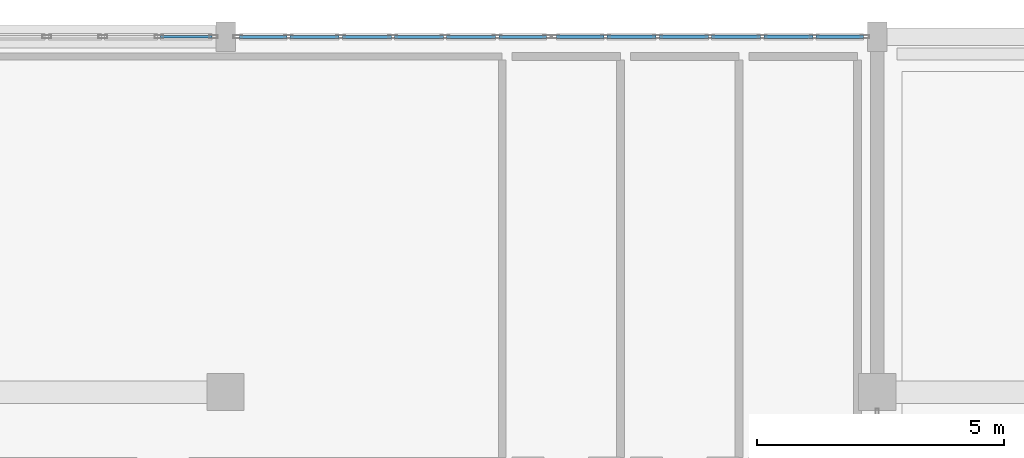
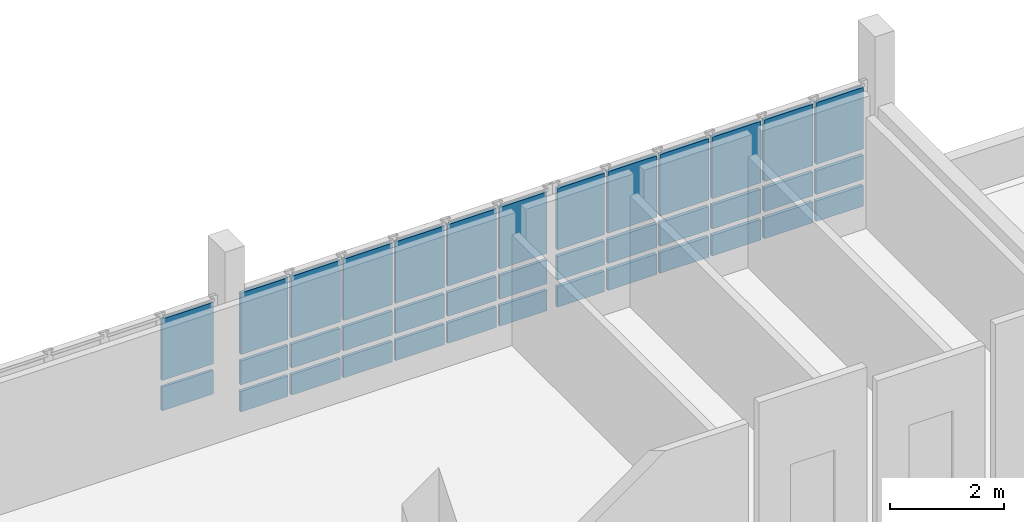
# One storey, part 169 of 188: 38 plates, 3 elements without a shape of their own.
"""IFC4 building model written with IfcOpenShell, lengths in metres."""

from ifc_helpers import new_model, si_unit, direction, frame, origin, origin_2d, place, context, subcontext, project, spatial, rectangle, extrude, material, layer, layer_set, type_object, element, aggregate, save


model = new_model("IFC4")

# Units and contexts
model_context = context("Model", 3, precision=1e-05, world=origin(), true_north=direction((0.0, 1.0)))
body_context = subcontext(model_context, "Body", "Model", "MODEL_VIEW")
ifc_project = project(units=[si_unit("LENGTHUNIT", "METRE"), si_unit("AREAUNIT", "SQUARE_METRE"), si_unit("VOLUMEUNIT", "CUBIC_METRE"), si_unit("PLANEANGLEUNIT", "RADIAN"), si_unit("MASSUNIT", "GRAM", prefix="KILO")], contexts=[model_context])

# Site, building, storey
site_placement = place(None, origin())
site = spatial("IfcSite", under=ifc_project, at=site_placement, CompositionType="ELEMENT")
building_placement = place(site_placement, origin())
building = spatial("IfcBuilding", under=site, at=building_placement, Name="Kisaragi Civic Commons", CompositionType="ELEMENT")
storey_placement = place(building_placement, frame((0.0, 0.0, 9.60009765625)))
storey = spatial("IfcBuildingStorey", under=building, at=storey_placement, Name="L02", CompositionType="ELEMENT", Elevation=9.60009765625)

# Curtain wall, plates
ifc_material = material(Name="Thermally broken anodized aluminium and low-E double glazing", Category="aluminium")
ifc_layer_1 = layer(ifc_material, 0.179931640625, Name="Thermally broken anodized aluminium and low-E double glazing", Category="aluminium")
ifc_layer_set_1 = layer_set([ifc_layer_1], Name="Thermally broken anodized aluminium and low-E double glazing")
curtain_wall_type = type_object("IfcCurtainWallType", Name="CW-01", PredefinedType="NOTDEFINED", material=ifc_layer_set_1)
curtain_wall_1_placement = place(storey_placement, origin())
curtain_wall_1 = element("IfcCurtainWall", 1, at=curtain_wall_1_placement, inside=storey, type_object=curtain_wall_type, Name="L02 curtain wall CW-01 CW-V4-L02-086", PredefinedType="NOTDEFINED")
ifc_layer_2 = layer(ifc_material, 0.053955078125, Name="Thermally broken anodized aluminium and low-E double glazing", Category="aluminium")
ifc_layer_set_2 = layer_set([ifc_layer_2], Name="Thermally broken anodized aluminium and low-E double glazing")
plate_type_1 = type_object("IfcPlateType", Name="CWP-15", PredefinedType="CURTAIN_PANEL", material=ifc_layer_set_2)
plate_1_placement = place(storey_placement, frame((132.400634765625, 118.800048828125, 0.7197265625), z_axis=(0.0, 0.0, 1.0), x_axis=(1.0, 0.0, 0.0)))
plate_1 = element("IfcPlate", 2, at=plate_1_placement, type_object=plate_type_1, Name="CW-01 panel 4.2", PredefinedType="CURTAIN_PANEL", context=body_context, shape_type="SweptSolid", body=[
    extrude(rectangle(XDim=1.038818359375, YDim=0.053955078125, at=origin_2d()), origin(), (0.0, 0.0, 1.0), 0.510009765625),
])
plate_2_placement = place(storey_placement, frame((132.400634765625, 118.800048828125, 1.36962890625), z_axis=(0.0, 0.0, 1.0), x_axis=(1.0, 0.0, 0.0)))
plate_2 = element("IfcPlate", 3, at=plate_2_placement, type_object=plate_type_1, Name="CW-01 panel 4.3", PredefinedType="CURTAIN_PANEL", context=body_context, shape_type="SweptSolid", body=[
    extrude(rectangle(XDim=1.038818359375, YDim=0.053955078125, at=origin_2d()), origin(), (0.0, 0.0, 1.0), 1.320068359375),
])
aggregate(curtain_wall_1, [plate_1, plate_2])

curtain_wall_2_placement = place(storey_placement, origin())
curtain_wall_2 = element("IfcCurtainWall", 4, at=curtain_wall_2_placement, inside=storey, type_object=curtain_wall_type, Name="L02 curtain wall CW-01 CW-V4-L02-087", PredefinedType="NOTDEFINED")
ifc_layer_3 = layer(ifc_material, 0.06201171875, Name="Thermally broken anodized aluminium and low-E double glazing", Category="aluminium")
ifc_layer_set_3 = layer_set([ifc_layer_3], Name="Thermally broken anodized aluminium and low-E double glazing")
plate_type_2 = type_object("IfcPlateType", Name="CWP-16", PredefinedType="CURTAIN_PANEL", material=ifc_layer_set_3)
plate_3_placement = place(storey_placement, frame((133.9599609375, 118.800048828125, 0.139892578125), z_axis=(0.0, 0.0, 1.0), x_axis=(1.0, 0.0, 0.0)))
plate_3 = element("IfcPlate", 5, at=plate_3_placement, type_object=plate_type_2, Name="CW-01 panel 1.1", PredefinedType="CURTAIN_PANEL", context=body_context, shape_type="SweptSolid", body=[
    extrude(rectangle(XDim=0.9599609375, YDim=0.06201171875, at=origin_2d()), origin(), (0.0, 0.0, 1.0), 0.43994140625),
])
plate_4_placement = place(storey_placement, frame((133.9599609375, 118.800048828125, 0.7197265625), z_axis=(0.0, 0.0, 1.0), x_axis=(1.0, 0.0, 0.0)))
plate_4 = element("IfcPlate", 6, at=plate_4_placement, type_object=plate_type_2, Name="CW-01 panel 1.2", PredefinedType="CURTAIN_PANEL", context=body_context, shape_type="SweptSolid", body=[
    extrude(rectangle(XDim=0.9599609375, YDim=0.06201171875, at=origin_2d()), origin(), (0.0, 0.0, 1.0), 0.510009765625),
])
plate_5_placement = place(storey_placement, frame((133.9599609375, 118.800048828125, 1.36962890625), z_axis=(0.0, 0.0, 1.0), x_axis=(1.0, 0.0, 0.0)))
plate_5 = element("IfcPlate", 7, at=plate_5_placement, type_object=plate_type_2, Name="CW-01 panel 1.3", PredefinedType="CURTAIN_PANEL", context=body_context, shape_type="SweptSolid", body=[
    extrude(rectangle(XDim=0.9599609375, YDim=0.06201171875, at=origin_2d()), origin(), (0.0, 0.0, 1.0), 1.320068359375),
])
plate_6_placement = place(storey_placement, frame((135.001220703125, 118.800048828125, 0.139892578125), z_axis=(0.0, 0.0, 1.0), x_axis=(1.0, 0.0, 0.0)))
plate_6 = element("IfcPlate", 8, at=plate_6_placement, type_object=plate_type_2, Name="CW-01 panel 2.1", PredefinedType="CURTAIN_PANEL", context=body_context, shape_type="SweptSolid", body=[
    extrude(rectangle(XDim=0.992431640625, YDim=0.06201171875, at=origin_2d()), origin(), (0.0, 0.0, 1.0), 0.43994140625),
])
plate_7_placement = place(storey_placement, frame((135.001220703125, 118.800048828125, 0.7197265625), z_axis=(0.0, 0.0, 1.0), x_axis=(1.0, 0.0, 0.0)))
plate_7 = element("IfcPlate", 9, at=plate_7_placement, type_object=plate_type_2, Name="CW-01 panel 2.2", PredefinedType="CURTAIN_PANEL", context=body_context, shape_type="SweptSolid", body=[
    extrude(rectangle(XDim=0.992431640625, YDim=0.06201171875, at=origin_2d()), origin(), (0.0, 0.0, 1.0), 0.510009765625),
])
plate_8_placement = place(storey_placement, frame((135.001220703125, 118.800048828125, 1.36962890625), z_axis=(0.0, 0.0, 1.0), x_axis=(1.0, 0.0, 0.0)))
plate_8 = element("IfcPlate", 10, at=plate_8_placement, type_object=plate_type_2, Name="CW-01 panel 2.3", PredefinedType="CURTAIN_PANEL", context=body_context, shape_type="SweptSolid", body=[
    extrude(rectangle(XDim=0.992431640625, YDim=0.06201171875, at=origin_2d()), origin(), (0.0, 0.0, 1.0), 1.320068359375),
])
plate_9_placement = place(storey_placement, frame((136.058837890625, 118.800048828125, 0.139892578125), z_axis=(0.0, 0.0, 1.0), x_axis=(1.0, 0.0, 0.0)))
plate_9 = element("IfcPlate", 11, at=plate_9_placement, type_object=plate_type_2, Name="CW-01 panel 3.1", PredefinedType="CURTAIN_PANEL", context=body_context, shape_type="SweptSolid", body=[
    extrude(rectangle(XDim=0.992431640625, YDim=0.06201171875, at=origin_2d()), origin(), (0.0, 0.0, 1.0), 0.43994140625),
])
plate_10_placement = place(storey_placement, frame((136.058837890625, 118.800048828125, 0.7197265625), z_axis=(0.0, 0.0, 1.0), x_axis=(1.0, 0.0, 0.0)))
plate_10 = element("IfcPlate", 12, at=plate_10_placement, type_object=plate_type_2, Name="CW-01 panel 3.2", PredefinedType="CURTAIN_PANEL", context=body_context, shape_type="SweptSolid", body=[
    extrude(rectangle(XDim=0.992431640625, YDim=0.06201171875, at=origin_2d()), origin(), (0.0, 0.0, 1.0), 0.510009765625),
])
plate_11_placement = place(storey_placement, frame((136.058837890625, 118.800048828125, 1.36962890625), z_axis=(0.0, 0.0, 1.0), x_axis=(1.0, 0.0, 0.0)))
plate_11 = element("IfcPlate", 13, at=plate_11_placement, type_object=plate_type_2, Name="CW-01 panel 3.3", PredefinedType="CURTAIN_PANEL", context=body_context, shape_type="SweptSolid", body=[
    extrude(rectangle(XDim=0.992431640625, YDim=0.06201171875, at=origin_2d()), origin(), (0.0, 0.0, 1.0), 1.320068359375),
])
plate_12_placement = place(storey_placement, frame((137.1162109375, 118.800048828125, 0.139892578125), z_axis=(0.0, 0.0, 1.0), x_axis=(1.0, 0.0, 0.0)))
plate_12 = element("IfcPlate", 14, at=plate_12_placement, type_object=plate_type_2, Name="CW-01 panel 4.1", PredefinedType="CURTAIN_PANEL", context=body_context, shape_type="SweptSolid", body=[
    extrude(rectangle(XDim=0.992431640625, YDim=0.06201171875, at=origin_2d()), origin(), (0.0, 0.0, 1.0), 0.43994140625),
])
plate_13_placement = place(storey_placement, frame((137.1162109375, 118.800048828125, 0.7197265625), z_axis=(0.0, 0.0, 1.0), x_axis=(1.0, 0.0, 0.0)))
plate_13 = element("IfcPlate", 15, at=plate_13_placement, type_object=plate_type_2, Name="CW-01 panel 4.2", PredefinedType="CURTAIN_PANEL", context=body_context, shape_type="SweptSolid", body=[
    extrude(rectangle(XDim=0.992431640625, YDim=0.06201171875, at=origin_2d()), origin(), (0.0, 0.0, 1.0), 0.510009765625),
])
plate_14_placement = place(storey_placement, frame((137.1162109375, 118.800048828125, 1.36962890625), z_axis=(0.0, 0.0, 1.0), x_axis=(1.0, 0.0, 0.0)))
plate_14 = element("IfcPlate", 16, at=plate_14_placement, type_object=plate_type_2, Name="CW-01 panel 4.3", PredefinedType="CURTAIN_PANEL", context=body_context, shape_type="SweptSolid", body=[
    extrude(rectangle(XDim=0.992431640625, YDim=0.06201171875, at=origin_2d()), origin(), (0.0, 0.0, 1.0), 1.320068359375),
])
plate_15_placement = place(storey_placement, frame((138.173828125, 118.800048828125, 0.139892578125), z_axis=(0.0, 0.0, 1.0), x_axis=(1.0, 0.0, 0.0)))
plate_15 = element("IfcPlate", 17, at=plate_15_placement, type_object=plate_type_2, Name="CW-01 panel 5.1", PredefinedType="CURTAIN_PANEL", context=body_context, shape_type="SweptSolid", body=[
    extrude(rectangle(XDim=0.992431640625, YDim=0.06201171875, at=origin_2d()), origin(), (0.0, 0.0, 1.0), 0.43994140625),
])
plate_16_placement = place(storey_placement, frame((138.173828125, 118.800048828125, 0.7197265625), z_axis=(0.0, 0.0, 1.0), x_axis=(1.0, 0.0, 0.0)))
plate_16 = element("IfcPlate", 18, at=plate_16_placement, type_object=plate_type_2, Name="CW-01 panel 5.2", PredefinedType="CURTAIN_PANEL", context=body_context, shape_type="SweptSolid", body=[
    extrude(rectangle(XDim=0.992431640625, YDim=0.06201171875, at=origin_2d()), origin(), (0.0, 0.0, 1.0), 0.510009765625),
])
plate_17_placement = place(storey_placement, frame((138.173828125, 118.800048828125, 1.36962890625), z_axis=(0.0, 0.0, 1.0), x_axis=(1.0, 0.0, 0.0)))
plate_17 = element("IfcPlate", 19, at=plate_17_placement, type_object=plate_type_2, Name="CW-01 panel 5.3", PredefinedType="CURTAIN_PANEL", context=body_context, shape_type="SweptSolid", body=[
    extrude(rectangle(XDim=0.992431640625, YDim=0.06201171875, at=origin_2d()), origin(), (0.0, 0.0, 1.0), 1.320068359375),
])
plate_18_placement = place(storey_placement, frame((139.215087890625, 118.800048828125, 0.139892578125), z_axis=(0.0, 0.0, 1.0), x_axis=(1.0, 0.0, 0.0)))
plate_18 = element("IfcPlate", 20, at=plate_18_placement, type_object=plate_type_2, Name="CW-01 panel 6.1", PredefinedType="CURTAIN_PANEL", context=body_context, shape_type="SweptSolid", body=[
    extrude(rectangle(XDim=0.9599609375, YDim=0.06201171875, at=origin_2d()), origin(), (0.0, 0.0, 1.0), 0.43994140625),
])
plate_19_placement = place(storey_placement, frame((139.215087890625, 118.800048828125, 0.7197265625), z_axis=(0.0, 0.0, 1.0), x_axis=(1.0, 0.0, 0.0)))
plate_19 = element("IfcPlate", 21, at=plate_19_placement, type_object=plate_type_2, Name="CW-01 panel 6.2", PredefinedType="CURTAIN_PANEL", context=body_context, shape_type="SweptSolid", body=[
    extrude(rectangle(XDim=0.9599609375, YDim=0.06201171875, at=origin_2d()), origin(), (0.0, 0.0, 1.0), 0.510009765625),
])
plate_20_placement = place(storey_placement, frame((139.215087890625, 118.800048828125, 1.36962890625), z_axis=(0.0, 0.0, 1.0), x_axis=(1.0, 0.0, 0.0)))
plate_20 = element("IfcPlate", 22, at=plate_20_placement, type_object=plate_type_2, Name="CW-01 panel 6.3", PredefinedType="CURTAIN_PANEL", context=body_context, shape_type="SweptSolid", body=[
    extrude(rectangle(XDim=0.9599609375, YDim=0.06201171875, at=origin_2d()), origin(), (0.0, 0.0, 1.0), 1.320068359375),
])
aggregate(curtain_wall_2, [plate_3, plate_4, plate_5, plate_6, plate_7, plate_8, plate_9, plate_10, plate_11, plate_12, plate_13, plate_14, plate_15, plate_16, plate_17, plate_18, plate_19, plate_20])

curtain_wall_3_placement = place(storey_placement, origin())
curtain_wall_3 = element("IfcCurtainWall", 23, at=curtain_wall_3_placement, inside=storey, type_object=curtain_wall_type, Name="L02 curtain wall CW-01 CW-V4-L02-088", PredefinedType="NOTDEFINED")
ifc_layer_4 = layer(ifc_material, 0.070068359375, Name="Thermally broken anodized aluminium and low-E double glazing", Category="aluminium")
ifc_layer_set_4 = layer_set([ifc_layer_4], Name="Thermally broken anodized aluminium and low-E double glazing")
plate_type_3 = type_object("IfcPlateType", Name="CWP-17", PredefinedType="CURTAIN_PANEL", material=ifc_layer_set_4)
plate_21_placement = place(storey_placement, frame((140.385009765625, 118.800048828125, 0.139892578125), z_axis=(0.0, 0.0, 1.0), x_axis=(1.0, 0.0, 0.0)))
plate_21 = element("IfcPlate", 24, at=plate_21_placement, type_object=plate_type_3, Name="CW-01 panel 1.1", PredefinedType="CURTAIN_PANEL", context=body_context, shape_type="SweptSolid", body=[
    extrude(rectangle(XDim=0.9599609375, YDim=0.070068359375, at=origin_2d()), origin(), (0.0, 0.0, 1.0), 0.43994140625),
])
plate_22_placement = place(storey_placement, frame((140.385009765625, 118.800048828125, 0.7197265625), z_axis=(0.0, 0.0, 1.0), x_axis=(1.0, 0.0, 0.0)))
plate_22 = element("IfcPlate", 25, at=plate_22_placement, type_object=plate_type_3, Name="CW-01 panel 1.2", PredefinedType="CURTAIN_PANEL", context=body_context, shape_type="SweptSolid", body=[
    extrude(rectangle(XDim=0.9599609375, YDim=0.070068359375, at=origin_2d()), origin(), (0.0, 0.0, 1.0), 0.510009765625),
])
plate_23_placement = place(storey_placement, frame((140.385009765625, 118.800048828125, 1.36962890625), z_axis=(0.0, 0.0, 1.0), x_axis=(1.0, 0.0, 0.0)))
plate_23 = element("IfcPlate", 26, at=plate_23_placement, type_object=plate_type_3, Name="CW-01 panel 1.3", PredefinedType="CURTAIN_PANEL", context=body_context, shape_type="SweptSolid", body=[
    extrude(rectangle(XDim=0.9599609375, YDim=0.070068359375, at=origin_2d()), origin(), (0.0, 0.0, 1.0), 1.320068359375),
])
plate_24_placement = place(storey_placement, frame((141.42626953125, 118.800048828125, 0.139892578125), z_axis=(0.0, 0.0, 1.0), x_axis=(1.0, 0.0, 0.0)))
plate_24 = element("IfcPlate", 27, at=plate_24_placement, type_object=plate_type_3, Name="CW-01 panel 2.1", PredefinedType="CURTAIN_PANEL", context=body_context, shape_type="SweptSolid", body=[
    extrude(rectangle(XDim=0.992431640625, YDim=0.070068359375, at=origin_2d()), origin(), (0.0, 0.0, 1.0), 0.43994140625),
])
plate_25_placement = place(storey_placement, frame((141.42626953125, 118.800048828125, 0.7197265625), z_axis=(0.0, 0.0, 1.0), x_axis=(1.0, 0.0, 0.0)))
plate_25 = element("IfcPlate", 28, at=plate_25_placement, type_object=plate_type_3, Name="CW-01 panel 2.2", PredefinedType="CURTAIN_PANEL", context=body_context, shape_type="SweptSolid", body=[
    extrude(rectangle(XDim=0.992431640625, YDim=0.070068359375, at=origin_2d()), origin(), (0.0, 0.0, 1.0), 0.510009765625),
])
plate_26_placement = place(storey_placement, frame((141.42626953125, 118.800048828125, 1.36962890625), z_axis=(0.0, 0.0, 1.0), x_axis=(1.0, 0.0, 0.0)))
plate_26 = element("IfcPlate", 29, at=plate_26_placement, type_object=plate_type_3, Name="CW-01 panel 2.3", PredefinedType="CURTAIN_PANEL", context=body_context, shape_type="SweptSolid", body=[
    extrude(rectangle(XDim=0.992431640625, YDim=0.070068359375, at=origin_2d()), origin(), (0.0, 0.0, 1.0), 1.320068359375),
])
plate_27_placement = place(storey_placement, frame((142.483642578125, 118.800048828125, 0.139892578125), z_axis=(0.0, 0.0, 1.0), x_axis=(1.0, 0.0, 0.0)))
plate_27 = element("IfcPlate", 30, at=plate_27_placement, type_object=plate_type_3, Name="CW-01 panel 3.1", PredefinedType="CURTAIN_PANEL", context=body_context, shape_type="SweptSolid", body=[
    extrude(rectangle(XDim=0.992431640625, YDim=0.070068359375, at=origin_2d()), origin(), (0.0, 0.0, 1.0), 0.43994140625),
])
plate_28_placement = place(storey_placement, frame((142.483642578125, 118.800048828125, 0.7197265625), z_axis=(0.0, 0.0, 1.0), x_axis=(1.0, 0.0, 0.0)))
plate_28 = element("IfcPlate", 31, at=plate_28_placement, type_object=plate_type_3, Name="CW-01 panel 3.2", PredefinedType="CURTAIN_PANEL", context=body_context, shape_type="SweptSolid", body=[
    extrude(rectangle(XDim=0.992431640625, YDim=0.070068359375, at=origin_2d()), origin(), (0.0, 0.0, 1.0), 0.510009765625),
])
plate_29_placement = place(storey_placement, frame((142.483642578125, 118.800048828125, 1.36962890625), z_axis=(0.0, 0.0, 1.0), x_axis=(1.0, 0.0, 0.0)))
plate_29 = element("IfcPlate", 32, at=plate_29_placement, type_object=plate_type_3, Name="CW-01 panel 3.3", PredefinedType="CURTAIN_PANEL", context=body_context, shape_type="SweptSolid", body=[
    extrude(rectangle(XDim=0.992431640625, YDim=0.070068359375, at=origin_2d()), origin(), (0.0, 0.0, 1.0), 1.320068359375),
])
plate_30_placement = place(storey_placement, frame((143.541259765625, 118.800048828125, 0.139892578125), z_axis=(0.0, 0.0, 1.0), x_axis=(1.0, 0.0, 0.0)))
plate_30 = element("IfcPlate", 33, at=plate_30_placement, type_object=plate_type_3, Name="CW-01 panel 4.1", PredefinedType="CURTAIN_PANEL", context=body_context, shape_type="SweptSolid", body=[
    extrude(rectangle(XDim=0.992431640625, YDim=0.070068359375, at=origin_2d()), origin(), (0.0, 0.0, 1.0), 0.43994140625),
])
plate_31_placement = place(storey_placement, frame((143.541259765625, 118.800048828125, 0.7197265625), z_axis=(0.0, 0.0, 1.0), x_axis=(1.0, 0.0, 0.0)))
plate_31 = element("IfcPlate", 34, at=plate_31_placement, type_object=plate_type_3, Name="CW-01 panel 4.2", PredefinedType="CURTAIN_PANEL", context=body_context, shape_type="SweptSolid", body=[
    extrude(rectangle(XDim=0.992431640625, YDim=0.070068359375, at=origin_2d()), origin(), (0.0, 0.0, 1.0), 0.510009765625),
])
plate_32_placement = place(storey_placement, frame((143.541259765625, 118.800048828125, 1.36962890625), z_axis=(0.0, 0.0, 1.0), x_axis=(1.0, 0.0, 0.0)))
plate_32 = element("IfcPlate", 35, at=plate_32_placement, type_object=plate_type_3, Name="CW-01 panel 4.3", PredefinedType="CURTAIN_PANEL", context=body_context, shape_type="SweptSolid", body=[
    extrude(rectangle(XDim=0.992431640625, YDim=0.070068359375, at=origin_2d()), origin(), (0.0, 0.0, 1.0), 1.320068359375),
])
plate_33_placement = place(storey_placement, frame((144.5986328125, 118.800048828125, 0.139892578125), z_axis=(0.0, 0.0, 1.0), x_axis=(1.0, 0.0, 0.0)))
plate_33 = element("IfcPlate", 36, at=plate_33_placement, type_object=plate_type_3, Name="CW-01 panel 5.1", PredefinedType="CURTAIN_PANEL", context=body_context, shape_type="SweptSolid", body=[
    extrude(rectangle(XDim=0.992431640625, YDim=0.070068359375, at=origin_2d()), origin(), (0.0, 0.0, 1.0), 0.43994140625),
])
plate_34_placement = place(storey_placement, frame((144.5986328125, 118.800048828125, 0.7197265625), z_axis=(0.0, 0.0, 1.0), x_axis=(1.0, 0.0, 0.0)))
plate_34 = element("IfcPlate", 37, at=plate_34_placement, type_object=plate_type_3, Name="CW-01 panel 5.2", PredefinedType="CURTAIN_PANEL", context=body_context, shape_type="SweptSolid", body=[
    extrude(rectangle(XDim=0.992431640625, YDim=0.070068359375, at=origin_2d()), origin(), (0.0, 0.0, 1.0), 0.510009765625),
])
plate_35_placement = place(storey_placement, frame((144.5986328125, 118.800048828125, 1.36962890625), z_axis=(0.0, 0.0, 1.0), x_axis=(1.0, 0.0, 0.0)))
plate_35 = element("IfcPlate", 38, at=plate_35_placement, type_object=plate_type_3, Name="CW-01 panel 5.3", PredefinedType="CURTAIN_PANEL", context=body_context, shape_type="SweptSolid", body=[
    extrude(rectangle(XDim=0.992431640625, YDim=0.070068359375, at=origin_2d()), origin(), (0.0, 0.0, 1.0), 1.320068359375),
])
plate_36_placement = place(storey_placement, frame((145.639892578125, 118.800048828125, 0.139892578125), z_axis=(0.0, 0.0, 1.0), x_axis=(1.0, 0.0, 0.0)))
plate_36 = element("IfcPlate", 39, at=plate_36_placement, type_object=plate_type_3, Name="CW-01 panel 6.1", PredefinedType="CURTAIN_PANEL", context=body_context, shape_type="SweptSolid", body=[
    extrude(rectangle(XDim=0.9599609375, YDim=0.070068359375, at=origin_2d()), origin(), (0.0, 0.0, 1.0), 0.43994140625),
])
plate_37_placement = place(storey_placement, frame((145.639892578125, 118.800048828125, 0.7197265625), z_axis=(0.0, 0.0, 1.0), x_axis=(1.0, 0.0, 0.0)))
plate_37 = element("IfcPlate", 40, at=plate_37_placement, type_object=plate_type_3, Name="CW-01 panel 6.2", PredefinedType="CURTAIN_PANEL", context=body_context, shape_type="SweptSolid", body=[
    extrude(rectangle(XDim=0.9599609375, YDim=0.070068359375, at=origin_2d()), origin(), (0.0, 0.0, 1.0), 0.510009765625),
])
plate_38_placement = place(storey_placement, frame((145.639892578125, 118.800048828125, 1.36962890625), z_axis=(0.0, 0.0, 1.0), x_axis=(1.0, 0.0, 0.0)))
plate_38 = element("IfcPlate", 41, at=plate_38_placement, type_object=plate_type_3, Name="CW-01 panel 6.3", PredefinedType="CURTAIN_PANEL", context=body_context, shape_type="SweptSolid", body=[
    extrude(rectangle(XDim=0.9599609375, YDim=0.070068359375, at=origin_2d()), origin(), (0.0, 0.0, 1.0), 1.320068359375),
])
aggregate(curtain_wall_3, [plate_21, plate_22, plate_23, plate_24, plate_25, plate_26, plate_27, plate_28, plate_29, plate_30, plate_31, plate_32, plate_33, plate_34, plate_35, plate_36, plate_37, plate_38])

save(model, "model.ifc")
